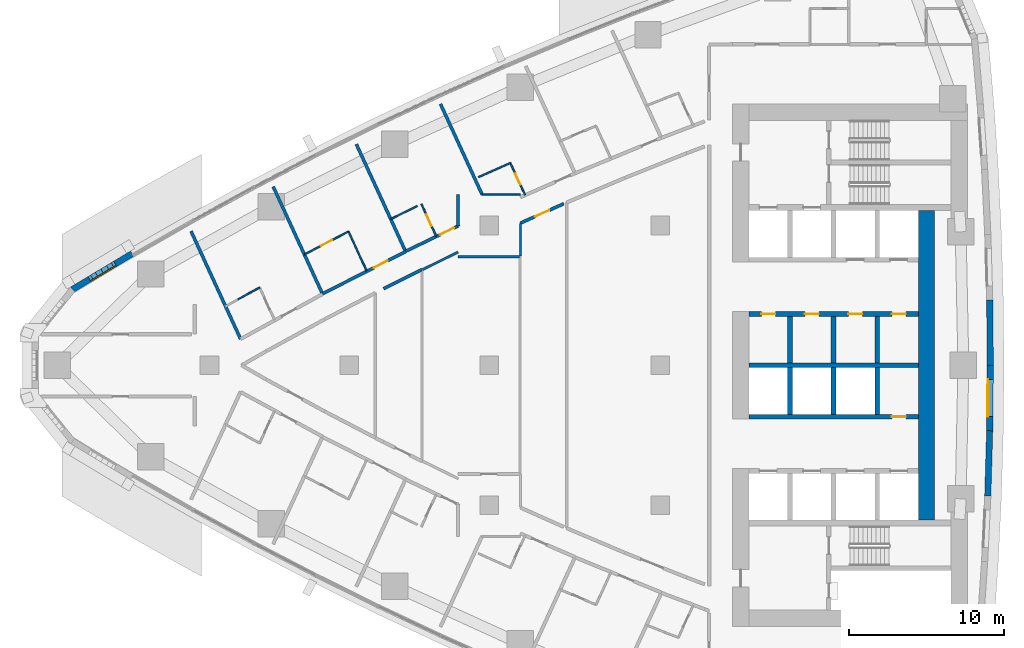
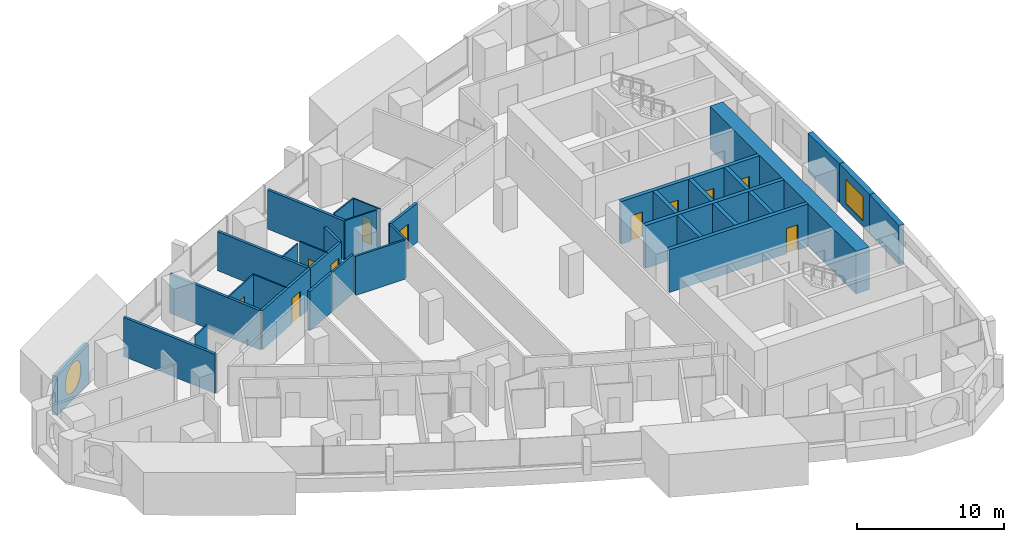
# One storey, part 11 of 17: 34 walls, 11 doors, 2 windows, 13 openings.
"""IFC4 building model written with IfcOpenShell, lengths in metres."""

from ifc_helpers import new_model, si_unit, direction, frame, frame_2d, origin, place, context, subcontext, project, spatial, polyline, rectangle, outline, extrude, material, layer, layer_set, type_object, element, fill, save


model = new_model("IFC4")

# Units and contexts
model_context = context("Model", 3, precision=1e-05, world=origin(), true_north=direction((0.0, 1.0)))
body_context = subcontext(model_context, "Body", "Model", "MODEL_VIEW")
ifc_project = project(units=[si_unit("LENGTHUNIT", "METRE"), si_unit("AREAUNIT", "SQUARE_METRE"), si_unit("VOLUMEUNIT", "CUBIC_METRE"), si_unit("PLANEANGLEUNIT", "RADIAN"), si_unit("MASSUNIT", "GRAM", prefix="KILO")], contexts=[model_context])

# Site, building, storey
site_placement = place(None, origin())
site = spatial("IfcSite", under=ifc_project, at=site_placement, CompositionType="ELEMENT")
building_placement = place(site_placement, origin())
building = spatial("IfcBuilding", under=site, at=building_placement, Name="Ostrand Prow Hotel Tower", CompositionType="ELEMENT")
storey_placement = place(building_placement, frame((0.0, 0.0, 106.199951171875)))
storey = spatial("IfcBuildingStorey", under=building, at=storey_placement, Name="L25", CompositionType="ELEMENT", Elevation=106.199951171875)

# Walls
ifc_material_1 = material(Name="Concrete C80/95", Category="concrete")
ifc_layer_1 = layer(ifc_material_1, 1.050048828125)
ifc_layer_set_1 = layer_set([ifc_layer_1], Name="Concrete C80/95")
wall_type_1 = type_object("IfcWallType", Name="Core wall 1050 C80/95", PredefinedType="SHEAR", material=ifc_layer_set_1)
wall_1_placement = place(storey_placement, frame((62.125, -9.949951171875, 0.0), z_axis=(0.0, 0.0, 1.0), x_axis=(0.0, 1.0, 0.0)))
element("IfcWall", 1, at=wall_1_placement, inside=storey, type_object=wall_type_1, Name="Core wall CW-E-C", PredefinedType="SHEAR", context=body_context, shape_type="SweptSolid", body=[
    extrude(rectangle(XDim=19.89990234375, YDim=1.050048828125, at=frame_2d((9.949951171875, 0.0))), origin(), (0.0, 0.0, 1.0), 3.550048828125),
])
ifc_material_2 = material(Name="Concrete C80/95", Category="concrete")
ifc_layer_2 = layer(ifc_material_2, 0.300048828125)
ifc_layer_set_2 = layer_set([ifc_layer_2], Name="Concrete C80/95")
wall_type_2 = type_object("IfcWallType", Name="Core wall 300 C80/95", PredefinedType="SHEAR", material=ifc_layer_set_2)
wall_2_placement = place(storey_placement, frame((50.699951171875, 0.0, 0.0), z_axis=(0.0, 0.0, 1.0), x_axis=(1.0, 0.0, 0.0)))
element("IfcWall", 2, at=wall_2_placement, inside=storey, type_object=wall_type_2, Name="Core wall PW-C", PredefinedType="SHEAR", context=body_context, shape_type="SweptSolid", body=[
    extrude(rectangle(XDim=10.900146484375, YDim=0.300048828125, at=frame_2d((5.4501953125, 0.0))), origin(), (0.0, 0.0, 1.0), 3.550048828125),
])

# Wall, openings, doors
wall_3_placement = place(storey_placement, frame((50.699951171875, 3.300048828125, 0.0), z_axis=(0.0, 0.0, 1.0), x_axis=(1.0, 0.0, 0.0)))
wall_3 = element("IfcWall", 3, at=wall_3_placement, inside=storey, type_object=wall_type_2, Name="Core wall PW-L1-N", PredefinedType="SHEAR", context=body_context, shape_type="SweptSolid", body=[
    extrude(rectangle(XDim=10.900146484375, YDim=0.300048828125, at=frame_2d((5.4501953125, 0.0))), origin(), (0.0, 0.0, 1.0), 3.550048828125),
])
opening_1_placement = place(wall_3_placement, frame((0.800048828125, 0.0, 0.0)))
opening_1 = element("IfcOpeningElement", 4, at=opening_1_placement, cuts=wall_3, Name="Opening FD2", PredefinedType="OPENING", context=body_context, shape_type="SweptSolid", body=[
    extrude(rectangle(XDim=0.89990234375, YDim=2.10009765625, at=frame_2d((0.449951171875, 1.050048828125))), frame((0.0, 0.159912109375, 0.0), z_axis=(0.0, -1.0, 0.0), x_axis=(1.0, 0.0, 0.0)), (0.0, 0.0, 1.0), 0.320068359375),
])
opening_2_placement = place(wall_3_placement, frame((3.60009765625, 0.0, 0.0)))
opening_2 = element("IfcOpeningElement", 5, at=opening_2_placement, cuts=wall_3, Name="Opening FD2", PredefinedType="OPENING", context=body_context, shape_type="SweptSolid", body=[
    extrude(rectangle(XDim=0.89990234375, YDim=2.10009765625, at=frame_2d((0.449951171875, 1.050048828125))), frame((0.0, 0.159912109375, 0.0), z_axis=(0.0, -1.0, 0.0), x_axis=(1.0, 0.0, 0.0)), (0.0, 0.0, 1.0), 0.320068359375),
])
opening_3_placement = place(wall_3_placement, frame((6.39990234375, 0.0, 0.0)))
opening_3 = element("IfcOpeningElement", 6, at=opening_3_placement, cuts=wall_3, Name="Opening FD2", PredefinedType="OPENING", context=body_context, shape_type="SweptSolid", body=[
    extrude(rectangle(XDim=0.89990234375, YDim=2.10009765625, at=frame_2d((0.449951171875, 1.050048828125))), frame((0.0, 0.159912109375, 0.0), z_axis=(0.0, -1.0, 0.0), x_axis=(1.0, 0.0, 0.0)), (0.0, 0.0, 1.0), 0.320068359375),
])
opening_4_placement = place(wall_3_placement, frame((9.199951171875, 0.0, 0.0)))
opening_4 = element("IfcOpeningElement", 7, at=opening_4_placement, cuts=wall_3, Name="Opening FD2", PredefinedType="OPENING", context=body_context, shape_type="SweptSolid", body=[
    extrude(rectangle(XDim=0.89990234375, YDim=2.10009765625, at=frame_2d((0.449951171875, 1.050048828125))), frame((0.0, 0.159912109375, 0.0), z_axis=(0.0, -1.0, 0.0), x_axis=(1.0, 0.0, 0.0)), (0.0, 0.0, 1.0), 0.320068359375),
])
ifc_material_3 = material(Name="Steel fire door", Category="steel")
door_type_1 = type_object("IfcDoorType", Name="Fire door 900 EI120", OperationType="SINGLE_SWING_LEFT", PredefinedType="DOOR", material=ifc_material_3)
door_1_placement = place(opening_1_placement, origin())
door_1 = element("IfcDoor", 8, at=door_1_placement, inside=storey, type_object=door_type_1, Name="DOOR", OperationType="SINGLE_SWING_LEFT", OverallHeight=2.10009765625, OverallWidth=0.89990234375, PredefinedType="DOOR", context=body_context, shape_type="SweptSolid", body=[
    extrude(rectangle(XDim=0.89990234375, YDim=2.10009765625, at=frame_2d((0.449951171875, 1.050048828125))), frame((0.0, 0.02490234375, 0.0), z_axis=(0.0, -1.0, 0.0), x_axis=(1.0, 0.0, 0.0)), (0.0, 0.0, 1.0), 0.050048828125),
])
fill(opening_1, door_1)
door_2_placement = place(opening_2_placement, origin())
door_2 = element("IfcDoor", 9, at=door_2_placement, inside=storey, type_object=door_type_1, Name="DOOR", OperationType="SINGLE_SWING_LEFT", OverallHeight=2.10009765625, OverallWidth=0.89990234375, PredefinedType="DOOR", context=body_context, shape_type="SweptSolid", body=[
    extrude(rectangle(XDim=0.89990234375, YDim=2.10009765625, at=frame_2d((0.449951171875, 1.050048828125))), frame((0.0, 0.02490234375, 0.0), z_axis=(0.0, -1.0, 0.0), x_axis=(1.0, 0.0, 0.0)), (0.0, 0.0, 1.0), 0.050048828125),
])
fill(opening_2, door_2)
door_3_placement = place(opening_3_placement, origin())
door_3 = element("IfcDoor", 10, at=door_3_placement, inside=storey, type_object=door_type_1, Name="DOOR", OperationType="SINGLE_SWING_LEFT", OverallHeight=2.10009765625, OverallWidth=0.89990234375, PredefinedType="DOOR", context=body_context, shape_type="SweptSolid", body=[
    extrude(rectangle(XDim=0.89990234375, YDim=2.10009765625, at=frame_2d((0.449951171875, 1.050048828125))), frame((0.0, 0.02490234375, 0.0), z_axis=(0.0, -1.0, 0.0), x_axis=(1.0, 0.0, 0.0)), (0.0, 0.0, 1.0), 0.050048828125),
])
fill(opening_3, door_3)
door_4_placement = place(opening_4_placement, origin())
door_4 = element("IfcDoor", 11, at=door_4_placement, inside=storey, type_object=door_type_1, Name="DOOR", OperationType="SINGLE_SWING_LEFT", OverallHeight=2.10009765625, OverallWidth=0.89990234375, PredefinedType="DOOR", context=body_context, shape_type="SweptSolid", body=[
    extrude(rectangle(XDim=0.89990234375, YDim=2.10009765625, at=frame_2d((0.449951171875, 1.050048828125))), frame((0.0, 0.02490234375, 0.0), z_axis=(0.0, -1.0, 0.0), x_axis=(1.0, 0.0, 0.0)), (0.0, 0.0, 1.0), 0.050048828125),
])
fill(opening_4, door_4)

# Walls
for number, where, z_axis, x_axis, name in (
    (12, (53.35009765625, 0.14990234375, 0.0), (0.0, 0.0, 1.0), (0.0, 1.0, 0.0), "Core wall PW-R1-NB"),
    (13, (56.14990234375, 0.14990234375, 0.0), (0.0, 0.0, 1.0), (0.0, 1.0, 0.0), "Core wall PW-R2-NB"),
    (14, (58.949951171875, 0.14990234375, 0.0), (0.0, 0.0, 1.0), (0.0, 1.0, 0.0), "Core wall PW-R3-NB"),
):
    element("IfcWall", number, at=place(storey_placement, frame(where, z_axis=z_axis, x_axis=x_axis)), inside=storey, type_object=wall_type_2, Name=name, PredefinedType="SHEAR", context=body_context, shape_type="SweptSolid", body=[
        extrude(rectangle(XDim=3.0, YDim=0.300048828125, at=frame_2d((1.5, 0.0))), origin(), (0.0, 0.0, 1.0), 3.550048828125),
    ])

# Wall, opening, door
wall_4_placement = place(storey_placement, frame((50.699951171875, -3.300048828125, 0.0), z_axis=(0.0, 0.0, 1.0), x_axis=(1.0, 0.0, 0.0)))
wall_4 = element("IfcWall", 15, at=wall_4_placement, inside=storey, type_object=wall_type_2, Name="Core wall PW-L1-S", PredefinedType="SHEAR", context=body_context, shape_type="SweptSolid", body=[
    extrude(rectangle(XDim=10.900146484375, YDim=0.300048828125, at=frame_2d((5.4501953125, 0.0))), origin(), (0.0, 0.0, 1.0), 3.550048828125),
])
opening_5_placement = place(wall_4_placement, frame((9.199951171875, 0.0, 0.0)))
opening_5 = element("IfcOpeningElement", 16, at=opening_5_placement, cuts=wall_4, Name="Opening FD2", PredefinedType="OPENING", context=body_context, shape_type="SweptSolid", body=[
    extrude(rectangle(XDim=0.89990234375, YDim=2.10009765625, at=frame_2d((0.449951171875, 1.050048828125))), frame((0.0, 0.159912109375, 0.0), z_axis=(0.0, -1.0, 0.0), x_axis=(1.0, 0.0, 0.0)), (0.0, 0.0, 1.0), 0.320068359375),
])
door_5_placement = place(opening_5_placement, origin())
door_5 = element("IfcDoor", 17, at=door_5_placement, inside=storey, type_object=door_type_1, Name="DOOR", OperationType="SINGLE_SWING_LEFT", OverallHeight=2.10009765625, OverallWidth=0.89990234375, PredefinedType="DOOR", context=body_context, shape_type="SweptSolid", body=[
    extrude(rectangle(XDim=0.89990234375, YDim=2.10009765625, at=frame_2d((0.449951171875, 1.050048828125))), frame((0.0, 0.02490234375, 0.0), z_axis=(0.0, -1.0, 0.0), x_axis=(1.0, 0.0, 0.0)), (0.0, 0.0, 1.0), 0.050048828125),
])
fill(opening_5, door_5)

# Walls
for number, where, z_axis, x_axis, name in (
    (18, (53.35009765625, -3.14990234375, 0.0), (0.0, 0.0, 1.0), (0.0, 1.0, 0.0), "Core wall PW-R1-SB"),
    (19, (56.14990234375, -3.14990234375, 0.0), (0.0, 0.0, 1.0), (0.0, 1.0, 0.0), "Core wall PW-R2-SB"),
    (20, (58.949951171875, -3.14990234375, 0.0), (0.0, 0.0, 1.0), (0.0, 1.0, 0.0), "Core wall PW-R3-SB"),
):
    element("IfcWall", number, at=place(storey_placement, frame(where, z_axis=z_axis, x_axis=x_axis)), inside=storey, type_object=wall_type_2, Name=name, PredefinedType="SHEAR", context=body_context, shape_type="SweptSolid", body=[
        extrude(rectangle(XDim=3.0, YDim=0.300048828125, at=frame_2d((1.5, 0.0))), origin(), (0.0, 0.0, 1.0), 3.550048828125),
    ])
ifc_material_4 = material(Name="Plasterboard partition")
ifc_layer_3 = layer(ifc_material_4, 0.10009765625)
ifc_layer_set_3 = layer_set([ifc_layer_3], Name="Plasterboard partition")
wall_type_3 = type_object("IfcWallType", Name="Partition 100 bathroom wall", PredefinedType="PARTITIONING", material=ifc_layer_set_3)
wall_5_placement = place(storey_placement, frame((17.80126953125, 4.228515625, 0.0), z_axis=(0.0, 0.0, 1.0), x_axis=(0.877424481957, 0.479714788663, 0.0)))
element("IfcWall", 21, at=wall_5_placement, inside=storey, type_object=wall_type_3, Name="BATHROOM WALL", PredefinedType="PARTITIONING", context=body_context, shape_type="SweptSolid", body=[
    extrude(rectangle(XDim=1.62548828125, YDim=0.10009765625, at=frame_2d((0.812744140625, 0.0))), origin(), (0.0, 0.0, 1.0), 3.25),
])

# Wall, opening, door
wall_6_placement = place(storey_placement, frame((22.10400390625, 7.131591796875, 0.0), z_axis=(0.0, 0.0, 1.0), x_axis=(0.886865947566, 0.46202682936, 0.0)))
wall_6 = element("IfcWall", 22, at=wall_6_placement, inside=storey, type_object=wall_type_3, Name="BATHROOM WALL", PredefinedType="PARTITIONING", context=body_context, shape_type="SweptSolid", body=[
    extrude(rectangle(XDim=3.203857421875, YDim=0.10009765625, at=frame_2d((1.60205078125, 0.0))), origin(), (0.0, 0.0, 1.0), 3.25),
])
opening_6_placement = place(wall_6_placement, frame((1.199951171875, 0.0, 0.0)))
opening_6 = element("IfcOpeningElement", 23, at=opening_6_placement, cuts=wall_6, Name="Opening D2", PredefinedType="OPENING", context=body_context, shape_type="SweptSolid", body=[
    extrude(rectangle(XDim=0.800048828125, YDim=2.10009765625, at=frame_2d((0.39990234375, 1.050048828125))), frame((0.0, 0.06005859375, 0.0), z_axis=(0.0, -1.0, 0.0), x_axis=(1.0, 0.0, 0.0)), (0.0, 0.0, 1.0), 0.1201171875),
])
ifc_material_5 = material(Name="Timber door leaf", Category="wood")
door_type_2 = type_object("IfcDoorType", Name="Bathroom door 800", OperationType="SINGLE_SWING_LEFT", PredefinedType="DOOR", material=ifc_material_5)
door_6_placement = place(opening_6_placement, origin())
door_6 = element("IfcDoor", 24, at=door_6_placement, inside=storey, type_object=door_type_2, Name="DOOR", OperationType="SINGLE_SWING_LEFT", OverallHeight=2.10009765625, OverallWidth=0.800048828125, PredefinedType="DOOR", context=body_context, shape_type="SweptSolid", body=[
    extrude(rectangle(XDim=0.800048828125, YDim=2.10009765625, at=frame_2d((0.39990234375, 1.050048828125))), frame((0.0, 0.02490234375, 0.0), z_axis=(0.0, -1.0, 0.0), x_axis=(1.0, 0.0, 0.0)), (0.0, 0.0, 1.0), 0.050048828125),
])
fill(opening_6, door_6)

# Walls
wall_7_placement = place(storey_placement, frame((24.9453125, 8.61181640625, 0.0), z_axis=(0.0, 0.0, 1.0), x_axis=(0.417431588167, -0.908708352113, 0.0)))
element("IfcWall", 25, at=wall_7_placement, inside=storey, type_object=wall_type_3, Name="BATHROOM WALL", PredefinedType="PARTITIONING", context=body_context, shape_type="SweptSolid", body=[
    extrude(rectangle(XDim=2.780517578125, YDim=0.10009765625, at=frame_2d((1.39013671875, 0.0))), origin(), (0.0, 0.0, 1.0), 3.25),
])
wall_8_placement = place(storey_placement, frame((27.6611328125, 9.407470703125, 0.0), z_axis=(0.0, 0.0, 1.0), x_axis=(0.895982200486, 0.444089964324, 0.0)))
element("IfcWall", 26, at=wall_8_placement, inside=storey, type_object=wall_type_3, Name="BATHROOM WALL", PredefinedType="PARTITIONING", context=body_context, shape_type="SweptSolid", body=[
    extrude(rectangle(XDim=1.90869140625, YDim=0.10009765625, at=frame_2d((0.954345703125, 0.0))), origin(), (0.0, 0.0, 1.0), 3.25),
])

# Wall, opening, door
wall_9_placement = place(storey_placement, frame((29.635498046875, 10.379638671875, 0.0), z_axis=(0.0, 0.0, 1.0), x_axis=(0.417466676952, -0.908692232626, 0.0)))
wall_9 = element("IfcWall", 27, at=wall_9_placement, inside=storey, type_object=wall_type_3, Name="BATHROOM WALL", PredefinedType="PARTITIONING", context=body_context, shape_type="SweptSolid", body=[
    extrude(rectangle(XDim=2.27734375, YDim=0.10009765625, at=frame_2d((1.138671875, 0.0))), origin(), (0.0, 0.0, 1.0), 3.25),
])
opening_7_placement = place(wall_9_placement, frame((0.75, 0.0, 0.0)))
opening_7 = element("IfcOpeningElement", 28, at=opening_7_placement, cuts=wall_9, Name="Opening D2", PredefinedType="OPENING", context=body_context, shape_type="SweptSolid", body=[
    extrude(rectangle(XDim=0.800048828125, YDim=2.10009765625, at=frame_2d((0.39990234375, 1.050048828125))), frame((0.0, 0.06005859375, 0.0), z_axis=(0.0, -1.0, 0.0), x_axis=(1.0, 0.0, 0.0)), (0.0, 0.0, 1.0), 0.1201171875),
])
door_7_placement = place(opening_7_placement, origin())
door_7 = element("IfcDoor", 29, at=door_7_placement, inside=storey, type_object=door_type_2, Name="DOOR", OperationType="SINGLE_SWING_LEFT", OverallHeight=2.10009765625, OverallWidth=0.800048828125, PredefinedType="DOOR", context=body_context, shape_type="SweptSolid", body=[
    extrude(rectangle(XDim=0.800048828125, YDim=2.10009765625, at=frame_2d((0.39990234375, 1.050048828125))), frame((0.0, 0.02490234375, 0.0), z_axis=(0.0, -1.0, 0.0), x_axis=(1.0, 0.0, 0.0)), (0.0, 0.0, 1.0), 0.050048828125),
])
fill(opening_7, door_7)

# Wall
wall_10_placement = place(storey_placement, frame((33.305908203125, 12.1083984375, 0.0), z_axis=(0.0, 0.0, 1.0), x_axis=(0.913060453705, 0.407824236504, 0.0)))
element("IfcWall", 30, at=wall_10_placement, inside=storey, type_object=wall_type_3, Name="BATHROOM WALL", PredefinedType="PARTITIONING", context=body_context, shape_type="SweptSolid", body=[
    extrude(rectangle(XDim=2.2431640625, YDim=0.10009765625, at=frame_2d((1.12158203125, 0.0))), origin(), (0.0, 0.0, 1.0), 3.25),
])

# Wall, opening, door
wall_11_placement = place(storey_placement, frame((35.35400390625, 13.023193359375, 0.0), z_axis=(0.0, 0.0, 1.0), x_axis=(0.41750734959, -0.908673545911, 0.0)))
wall_11 = element("IfcWall", 31, at=wall_11_placement, inside=storey, type_object=wall_type_3, Name="BATHROOM WALL", PredefinedType="PARTITIONING", context=body_context, shape_type="SweptSolid", body=[
    extrude(rectangle(XDim=2.277099609375, YDim=0.10009765625, at=frame_2d((1.138671875, 0.0))), origin(), (0.0, 0.0, 1.0), 3.25),
])
opening_8_placement = place(wall_11_placement, frame((0.75, 0.0, 0.0)))
opening_8 = element("IfcOpeningElement", 32, at=opening_8_placement, cuts=wall_11, Name="Opening D2", PredefinedType="OPENING", context=body_context, shape_type="SweptSolid", body=[
    extrude(rectangle(XDim=0.800048828125, YDim=2.10009765625, at=frame_2d((0.39990234375, 1.050048828125))), frame((0.0, 0.06005859375, 0.0), z_axis=(0.0, -1.0, 0.0), x_axis=(1.0, 0.0, 0.0)), (0.0, 0.0, 1.0), 0.1201171875),
])
door_8_placement = place(opening_8_placement, origin())
door_8 = element("IfcDoor", 33, at=door_8_placement, inside=storey, type_object=door_type_2, Name="DOOR", OperationType="SINGLE_SWING_LEFT", OverallHeight=2.10009765625, OverallWidth=0.800048828125, PredefinedType="DOOR", context=body_context, shape_type="SweptSolid", body=[
    extrude(rectangle(XDim=0.800048828125, YDim=2.10009765625, at=frame_2d((0.39990234375, 1.050048828125))), frame((0.0, 0.02490234375, 0.0), z_axis=(0.0, -1.0, 0.0), x_axis=(1.0, 0.0, 0.0)), (0.0, 0.0, 1.0), 0.050048828125),
])
fill(opening_8, door_8)

# Walls
wall_12_placement = place(storey_placement, frame((36.00048828125, 11.0048828125, 0.0), z_axis=(0.0, 0.0, 1.0), x_axis=(-1.0, 0.0, 0.0)))
element("IfcWall", 34, at=wall_12_placement, inside=storey, type_object=wall_type_3, Name="BATHROOM WALL", PredefinedType="PARTITIONING", context=body_context, shape_type="SweptSolid", body=[
    extrude(rectangle(XDim=2.470458984375, YDim=0.10009765625, at=frame_2d((1.2353515625, 0.0))), origin(), (0.0, 0.0, 1.0), 3.25),
])
ifc_material_6 = material(Name="Plasterboard partition")
ifc_layer_4 = layer(ifc_material_6, 0.14990234375)
ifc_layer_set_4 = layer_set([ifc_layer_4], Name="Plasterboard partition")
wall_type_4 = type_object("IfcWallType", Name="Partition 150 room partition", PredefinedType="PARTITIONING", material=ifc_layer_set_4)
wall_13_placement = place(storey_placement, frame((29.70654296875, 6.161865234375, 0.0), z_axis=(0.0, 0.0, 1.0), x_axis=(0.89773510237, 0.440535680702, 0.0)))
element("IfcWall", 35, at=wall_13_placement, inside=storey, type_object=wall_type_4, Name="ROOM PARTITION", PredefinedType="PARTITIONING", context=body_context, shape_type="SweptSolid", body=[
    extrude(rectangle(XDim=2.54931640625, YDim=0.14990234375, at=frame_2d((1.274658203125, 0.0))), origin(), (0.0, 0.0, 1.0), 3.25),
])
wall_14_placement = place(storey_placement, frame((31.99951171875, 6.9951171875, 0.0), z_axis=(0.0, 0.0, 1.0), x_axis=(1.0, 0.0, 0.0)))
element("IfcWall", 36, at=wall_14_placement, inside=storey, type_object=wall_type_4, Name="ROOM PARTITION", PredefinedType="PARTITIONING", context=body_context, shape_type="SweptSolid", body=[
    extrude(rectangle(XDim=3.935302734375, YDim=0.14990234375, at=frame_2d((1.9677734375, 0.0))), origin(), (0.0, 0.0, 1.0), 3.25),
])
wall_15_placement = place(storey_placement, frame((36.0048828125, 7.026123046875, 0.0), z_axis=(0.0, 0.0, 1.0), x_axis=(0.0, 1.0, 0.0)))
element("IfcWall", 37, at=wall_15_placement, inside=storey, type_object=wall_type_4, Name="ROOM PARTITION", PredefinedType="PARTITIONING", context=body_context, shape_type="SweptSolid", body=[
    extrude(rectangle(XDim=2.083984375, YDim=0.14990234375, at=frame_2d((1.0419921875, 0.0))), origin(), (0.0, 0.0, 1.0), 3.25),
])

# Wall, opening, door
ifc_material_7 = material(Name="Plasterboard partition")
ifc_layer_5 = layer(ifc_material_7, 0.199951171875)
ifc_layer_set_5 = layer_set([ifc_layer_5], Name="Plasterboard partition")
wall_type_5 = type_object("IfcWallType", Name="Partition 200 corridor wall", PredefinedType="PARTITIONING", material=ifc_layer_set_5)
wall_16_placement = place(storey_placement, frame((23.265625, 4.602294921875, 0.0), z_axis=(0.0, 0.0, 1.0), x_axis=(0.892007141151, 0.452021304958, 0.0)))
wall_16 = element("IfcWall", 38, at=wall_16_placement, inside=storey, type_object=wall_type_5, Name="CORRIDOR WALL", PredefinedType="PARTITIONING", context=body_context, shape_type="SweptSolid", body=[
    extrude(rectangle(XDim=6.00439453125, YDim=0.199951171875, at=frame_2d((3.002197265625, 0.0))), origin(), (0.0, 0.0, 1.0), 3.25),
])
opening_9_placement = place(wall_16_placement, frame((3.699951171875, 0.0, 0.0)))
opening_9 = element("IfcOpeningElement", 39, at=opening_9_placement, cuts=wall_16, Name="Opening D1R", PredefinedType="OPENING", context=body_context, shape_type="SweptSolid", body=[
    extrude(rectangle(XDim=1.0, YDim=2.10009765625, at=frame_2d((0.5, 1.050048828125))), frame((0.0, 0.10986328125, 0.0), z_axis=(0.0, -1.0, 0.0), x_axis=(1.0, 0.0, 0.0)), (0.0, 0.0, 1.0), 0.219970703125),
])
ifc_material_8 = material(Name="Timber door leaf", Category="wood")
door_type_3 = type_object("IfcDoorType", Name="Guest room door 1000 right", OperationType="SINGLE_SWING_RIGHT", PredefinedType="DOOR", material=ifc_material_8)
door_9_placement = place(opening_9_placement, origin())
door_9 = element("IfcDoor", 40, at=door_9_placement, inside=storey, type_object=door_type_3, Name="DOOR", OperationType="SINGLE_SWING_RIGHT", OverallHeight=2.10009765625, OverallWidth=1.0, PredefinedType="DOOR", context=body_context, shape_type="SweptSolid", body=[
    extrude(rectangle(XDim=1.0, YDim=2.10009765625, at=frame_2d((0.5, 1.050048828125))), frame((0.0, 0.02490234375, 0.0), z_axis=(0.0, -1.0, 0.0), x_axis=(1.0, 0.0, 0.0)), (0.0, 0.0, 1.0), 0.050048828125),
])
fill(opening_9, door_9)

wall_17_placement = place(storey_placement, frame((32.0, 8.972900390625, 0.0), z_axis=(0.0, 0.0, 1.0), x_axis=(-0.900216696569, -0.435442188147, 0.0)))
wall_17 = element("IfcWall", 41, at=wall_17_placement, inside=storey, type_object=wall_type_5, Name="CORRIDOR WALL", PredefinedType="PARTITIONING", context=body_context, shape_type="SweptSolid", body=[
    extrude(rectangle(XDim=3.76220703125, YDim=0.199951171875, at=frame_2d((1.881103515625, 0.0))), origin(), (0.0, 0.0, 1.0), 3.25),
])
opening_10_placement = place(wall_17_placement, frame((0.300048828125, 0.0, 0.0)))
opening_10 = element("IfcOpeningElement", 42, at=opening_10_placement, cuts=wall_17, Name="Opening D1R", PredefinedType="OPENING", context=body_context, shape_type="SweptSolid", body=[
    extrude(rectangle(XDim=1.0, YDim=2.10009765625, at=frame_2d((0.5, 1.050048828125))), frame((0.0, 0.10986328125, 0.0), z_axis=(0.0, -1.0, 0.0), x_axis=(1.0, 0.0, 0.0)), (0.0, 0.0, 1.0), 0.219970703125),
])
door_10_placement = place(opening_10_placement, origin())
door_10 = element("IfcDoor", 43, at=door_10_placement, inside=storey, type_object=door_type_3, Name="DOOR", OperationType="SINGLE_SWING_RIGHT", OverallHeight=2.10009765625, OverallWidth=1.0, PredefinedType="DOOR", context=body_context, shape_type="SweptSolid", body=[
    extrude(rectangle(XDim=1.0, YDim=2.10009765625, at=frame_2d((0.5, 1.050048828125))), frame((0.0, 0.02490234375, 0.0), z_axis=(0.0, -1.0, 0.0), x_axis=(1.0, 0.0, 0.0)), (0.0, 0.0, 1.0), 0.050048828125),
])
fill(opening_10, door_10)

# Wall
wall_18_placement = place(storey_placement, frame((27.1962890625, 4.935791015625, 0.0), z_axis=(0.0, 0.0, 1.0), x_axis=(0.895945057464, 0.444164895062, 0.0)))
element("IfcWall", 44, at=wall_18_placement, inside=storey, type_object=wall_type_5, Name="CORRIDOR WALL", PredefinedType="PARTITIONING", context=body_context, shape_type="SweptSolid", body=[
    extrude(rectangle(XDim=2.757080078125, YDim=0.199951171875, at=frame_2d((1.37841796875, 0.0))), origin(), (0.0, 0.0, 1.0), 3.25),
])

# Wall, opening, door
wall_19_placement = place(storey_placement, frame((36.0, 9.14990234375, 0.0), z_axis=(0.0, 0.0, 1.0), x_axis=(0.913029587861, 0.407893333716, 0.0)))
wall_19 = element("IfcWall", 45, at=wall_19_placement, inside=storey, type_object=wall_type_5, Name="CORRIDOR WALL", PredefinedType="PARTITIONING", context=body_context, shape_type="SweptSolid", body=[
    extrude(rectangle(XDim=3.057861328125, YDim=0.199951171875, at=frame_2d((1.52880859375, 0.0))), origin(), (0.0, 0.0, 1.0), 3.25),
])
opening_11_placement = place(wall_19_placement, frame((1.029052734375, 0.0, 0.0)))
opening_11 = element("IfcOpeningElement", 46, at=opening_11_placement, cuts=wall_19, Name="Opening D1", PredefinedType="OPENING", context=body_context, shape_type="SweptSolid", body=[
    extrude(rectangle(XDim=1.0, YDim=2.10009765625, at=frame_2d((0.5, 1.050048828125))), frame((0.0, 0.10986328125, 0.0), z_axis=(0.0, -1.0, 0.0), x_axis=(1.0, 0.0, 0.0)), (0.0, 0.0, 1.0), 0.219970703125),
])
ifc_material_9 = material(Name="Timber door leaf", Category="wood")
door_type_4 = type_object("IfcDoorType", Name="Guest room door 1000", OperationType="SINGLE_SWING_LEFT", PredefinedType="DOOR", material=ifc_material_9)
door_11_placement = place(opening_11_placement, origin())
door_11 = element("IfcDoor", 47, at=door_11_placement, inside=storey, type_object=door_type_4, Name="DOOR", OperationType="SINGLE_SWING_LEFT", OverallHeight=2.10009765625, OverallWidth=1.0, PredefinedType="DOOR", context=body_context, shape_type="SweptSolid", body=[
    extrude(rectangle(XDim=1.0, YDim=2.10009765625, at=frame_2d((0.5, 1.050048828125))), frame((0.0, 0.02490234375, 0.0), z_axis=(0.0, -1.0, 0.0), x_axis=(1.0, 0.0, 0.0)), (0.0, 0.0, 1.0), 0.050048828125),
])
fill(opening_11, door_11)

# Walls
wall_20_placement = place(storey_placement, frame((31.99658203125, 11.00341796875, 0.0), z_axis=(0.0, 0.0, 1.0), x_axis=(0.001683296882, -0.999998583255, 0.0)))
element("IfcWall", 48, at=wall_20_placement, inside=storey, type_object=wall_type_5, Name="CORRIDOR WALL", PredefinedType="PARTITIONING", context=body_context, shape_type="SweptSolid", body=[
    extrude(rectangle(XDim=2.030517578125, YDim=0.199951171875, at=frame_2d((1.01513671875, 0.0))), origin(), (0.0, 0.0, 1.0), 3.25),
])
ifc_material_10 = material(Name="Plasterboard partition")
ifc_layer_6 = layer(ifc_material_10, 0.199951171875)
ifc_layer_set_6 = layer_set([ifc_layer_6], Name="Plasterboard partition")
wall_type_6 = type_object("IfcWallType", Name="Partition 200 key partition", PredefinedType="PARTITIONING", material=ifc_layer_set_6)
wall_21_placement = place(storey_placement, frame((14.814697265625, 8.625732421875, 0.0), z_axis=(0.0, 0.0, 1.0), x_axis=(0.417432341259, -0.908708006166, 0.0)))
element("IfcWall", 49, at=wall_21_placement, inside=storey, type_object=wall_type_6, Name="KEY PARTITION", PredefinedType="PARTITIONING", context=body_context, shape_type="SweptSolid", body=[
    extrude(rectangle(XDim=7.630615234375, YDim=0.199951171875, at=frame_2d((3.8154296875, 0.0))), origin(), (0.0, 0.0, 1.0), 3.25),
])
wall_22_placement = place(storey_placement, frame((23.274169921875, 4.583984375, 0.0), z_axis=(0.0, 0.0, 1.0), x_axis=(-0.417440028355, 0.908704474913, 0.0)))
element("IfcWall", 50, at=wall_22_placement, inside=storey, type_object=wall_type_6, Name="KEY PARTITION", PredefinedType="PARTITIONING", context=body_context, shape_type="SweptSolid", body=[
    extrude(rectangle(XDim=7.609619140625, YDim=0.199951171875, at=frame_2d((3.8046875, 0.0))), origin(), (0.0, 0.0, 1.0), 3.25),
])
wall_23_placement = place(storey_placement, frame((28.62158203125, 7.31640625, 0.0), z_axis=(0.0, 0.0, 1.0), x_axis=(-0.417428513692, 0.908709764422, 0.0)))
element("IfcWall", 51, at=wall_23_placement, inside=storey, type_object=wall_type_6, Name="KEY PARTITION", PredefinedType="PARTITIONING", context=body_context, shape_type="SweptSolid", body=[
    extrude(rectangle(XDim=7.603271484375, YDim=0.199951171875, at=frame_2d((3.8017578125, 0.0))), origin(), (0.0, 0.0, 1.0), 3.25),
])
wall_24_placement = place(storey_placement, frame((33.532470703125, 11.0, 0.0), z_axis=(0.0, 0.0, 1.0), x_axis=(-0.417441426461, 0.908703832651, 0.0)))
element("IfcWall", 52, at=wall_24_placement, inside=storey, type_object=wall_type_6, Name="KEY PARTITION", PredefinedType="PARTITIONING", context=body_context, shape_type="SweptSolid", body=[
    extrude(rectangle(XDim=6.3994140625, YDim=0.199951171875, at=frame_2d((3.19970703125, 0.0))), origin(), (0.0, 0.0, 1.0), 3.25),
])

# Wall, opening, window
ifc_material_11 = material(Name="Precast concrete C40/50", Category="concrete")
ifc_layer_7 = layer(ifc_material_11, 0.39990234375)
ifc_layer_set_7 = layer_set([ifc_layer_7], Name="Precast concrete C40/50")
wall_type_7 = type_object("IfcWallType", Name="Stone-faced precast wall 400 mm", PredefinedType="NOTDEFINED", material=ifc_layer_set_7)
wall_25_placement = place(storey_placement, frame((11.02587890625, 7.18603515625, 0.0), z_axis=(0.0, 0.0, 1.0), x_axis=(-0.857550776474, -0.514399325202, 0.0)))
wall_25 = element("IfcWall", 53, at=wall_25_placement, inside=storey, type_object=wall_type_7, Name="Stone-faced wall prow 1", PredefinedType="NOTDEFINED", context=body_context, shape_type="SweptSolid", body=[
    extrude(outline(polyline([(0.0, -0.199951171875), (4.50341796875, -0.199951171875), (4.4326171875, 0.199951171875), (0.0, 0.199951171875), (0.0, -0.199951171875)])), origin(), (0.0, 0.0, 1.0), 3.25),
])
opening_12_placement = place(wall_25_placement, frame((1.134033203125, 0.0, 0.60009765625)))
opening_12 = element("IfcOpeningElement", 54, at=opening_12_placement, cuts=wall_25, Name="Opening WP2", PredefinedType="OPENING", context=body_context, shape_type="SweptSolid", body=[
    extrude(outline(polyline([(0.0, 1.35009765625), (0.083740234375, 1.77099609375), (0.322265625, 2.127685546875), (0.678955078125, 2.3662109375), (1.10009765625, 2.449951171875), (1.52099609375, 2.3662109375), (1.877685546875, 2.127685546875), (2.1162109375, 1.77099609375), (2.199951171875, 1.35009765625), (2.199951171875, 1.10009765625), (2.1162109375, 0.678955078125), (1.877685546875, 0.322265625), (1.52099609375, 0.083740234375), (1.10009765625, 0.0), (0.678955078125, 0.083740234375), (0.322265625, 0.322265625), (0.083740234375, 0.678955078125), (0.0, 1.099853515625), (0.0, 1.35009765625)])), frame((0.0, 0.2099609375, 0.0), z_axis=(0.0, -1.0, 0.0), x_axis=(1.0, 0.0, 0.0)), (0.0, 0.0, 1.0), 0.419921875),
])
ifc_material_12 = material(Name="Insulated glass in bronze frame", Category="glass")
window_type_1 = type_object("IfcWindowType", Name="Round-ended prow lounge window 2200x2450", PartitioningType="SINGLE_PANEL", PredefinedType="WINDOW", material=ifc_material_12)
window_1_placement = place(opening_12_placement, origin())
window_1 = element("IfcWindow", 55, at=window_1_placement, inside=storey, type_object=window_type_1, Name="Window prow 1.1", OverallHeight=2.449951171875, OverallWidth=2.199951171875, PartitioningType="SINGLE_PANEL", PredefinedType="WINDOW", context=body_context, shape_type="SweptSolid", body=[
    extrude(outline(polyline([(0.0, 1.35009765625), (0.083740234375, 1.77099609375), (0.322265625, 2.127685546875), (0.678955078125, 2.3662109375), (1.10009765625, 2.449951171875), (1.52099609375, 2.3662109375), (1.877685546875, 2.127685546875), (2.1162109375, 1.77099609375), (2.199951171875, 1.35009765625), (2.199951171875, 1.10009765625), (2.1162109375, 0.678955078125), (1.877685546875, 0.322265625), (1.52099609375, 0.083740234375), (1.10009765625, 0.0), (0.678955078125, 0.083740234375), (0.322265625, 0.322265625), (0.083740234375, 0.678955078125), (0.0, 1.099853515625), (0.0, 1.35009765625)])), frame((0.0, 0.169921875, 0.0), z_axis=(0.0, -1.0, 0.0), x_axis=(1.0, 0.0, 0.0)), (0.0, 0.0, 1.0), 0.06005859375),
])
fill(opening_12, window_1)

# Wall
wall_26_placement = place(storey_placement, frame((66.071533203125, -8.41162109375, 0.0), z_axis=(0.0, 0.0, 1.0), x_axis=(0.02901703777, 0.999578917104, 0.0)))
element("IfcWall", 56, at=wall_26_placement, inside=storey, type_object=wall_type_7, Name="Stone-faced wall back 8", PredefinedType="NOTDEFINED", context=body_context, shape_type="SweptSolid", body=[
    extrude(outline(polyline([(-0.001953125, -0.199951171875), (4.208740234375, -0.199951171875), (4.204833984375, 0.199951171875), (0.001953125, 0.199951171875), (-0.001953125, -0.199951171875)])), origin(), (0.0, 0.0, 1.0), 3.25),
])

# Wall, opening, window
wall_27_placement = place(storey_placement, frame((66.193603515625, -4.20654296875, 0.0), z_axis=(0.0, 0.0, 1.0), x_axis=(0.00969194175, 0.99995303203, 0.0)))
wall_27 = element("IfcWall", 57, at=wall_27_placement, inside=storey, type_object=wall_type_7, Name="Stone-faced wall back 9", PredefinedType="NOTDEFINED", context=body_context, shape_type="SweptSolid", body=[
    extrude(outline(polyline([(-0.001953125, -0.199951171875), (4.208740234375, -0.199951171875), (4.204833984375, 0.199951171875), (0.001953125, 0.199951171875), (-0.001953125, -0.199951171875)])), origin(), (0.0, 0.0, 1.0), 3.25),
])
opening_13_placement = place(wall_27_placement, frame((0.9033203125, 0.0, 0.5)))
opening_13 = element("IfcOpeningElement", 58, at=opening_13_placement, cuts=wall_27, Name="Opening WA1", PredefinedType="OPENING", context=body_context, shape_type="SweptSolid", body=[
    extrude(rectangle(XDim=2.39990234375, YDim=2.0, at=frame_2d((1.199951171875, 1.0))), frame((0.0, 0.2099609375, 0.0), z_axis=(0.0, -1.0, 0.0), x_axis=(1.0, 0.0, 0.0)), (0.0, 0.0, 1.0), 0.419921875),
])
ifc_material_13 = material(Name="Insulated glass in bronze frame", Category="glass")
window_type_2 = type_object("IfcWindowType", Name="Amenity picture window 2400x2000", PartitioningType="SINGLE_PANEL", PredefinedType="WINDOW", material=ifc_material_13)
window_2_placement = place(opening_13_placement, origin())
window_2 = element("IfcWindow", 59, at=window_2_placement, inside=storey, type_object=window_type_2, Name="Window back 9.1", OverallHeight=2.0, OverallWidth=2.39990234375, PartitioningType="SINGLE_PANEL", PredefinedType="WINDOW", context=body_context, shape_type="SweptSolid", body=[
    extrude(rectangle(XDim=2.39990234375, YDim=2.0, at=frame_2d((1.199951171875, 1.0))), frame((0.0, 0.169921875, 0.0), z_axis=(0.0, -1.0, 0.0), x_axis=(1.0, 0.0, 0.0)), (0.0, 0.0, 1.0), 0.06005859375),
])
fill(opening_13, window_2)

# Wall
wall_28_placement = place(storey_placement, frame((66.234375, 0.0, 0.0), z_axis=(0.0, 0.0, 1.0), x_axis=(-0.00969194175, 0.99995303203, 0.0)))
element("IfcWall", 60, at=wall_28_placement, inside=storey, type_object=wall_type_7, Name="Stone-faced wall back 10", PredefinedType="NOTDEFINED", context=body_context, shape_type="SweptSolid", body=[
    extrude(outline(polyline([(-0.001953125, -0.199951171875), (4.208740234375, -0.199951171875), (4.204833984375, 0.199951171875), (0.001953125, 0.199951171875), (-0.001953125, -0.199951171875)])), origin(), (0.0, 0.0, 1.0), 3.25),
])

save(model, "model.ifc")
